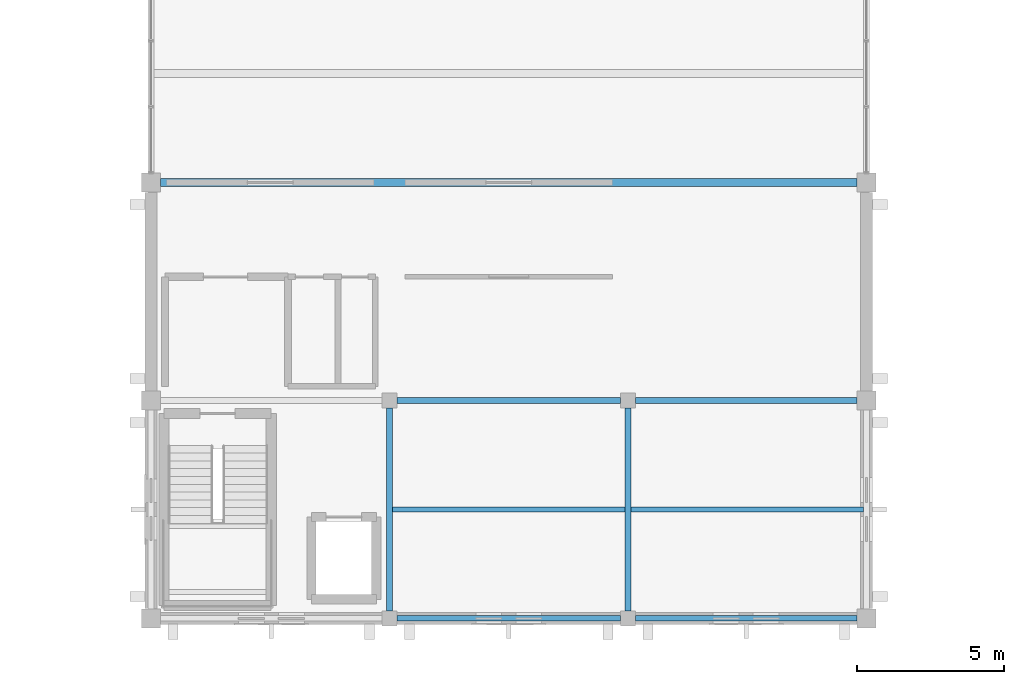
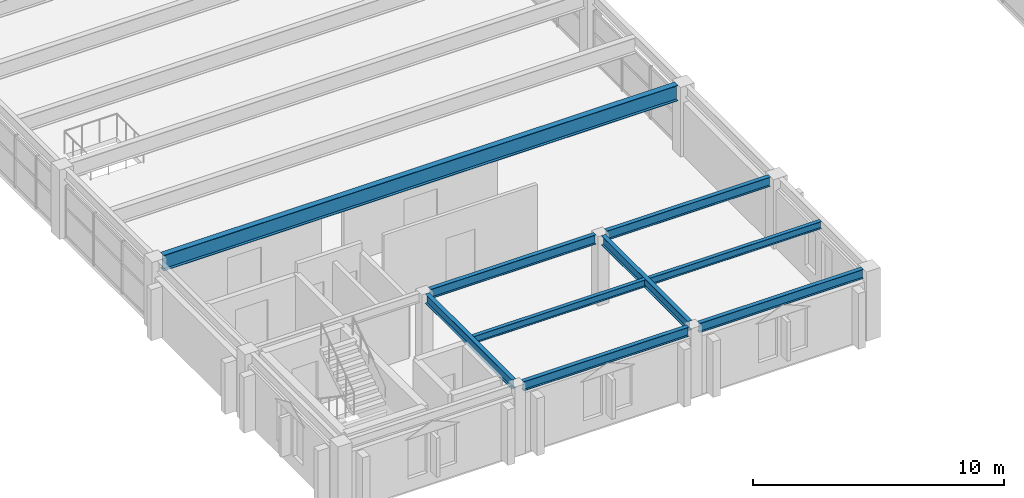
# One storey, part 30 of 93: 9 beams.
"""IFC4 building model written with IfcOpenShell, lengths in metres."""

from ifc_helpers import new_model, si_unit, direction, frame, origin, origin_2d, place, context, subcontext, project, spatial, i_section, extrude, material, material_profile, profile_set, type_object, element, save


model = new_model("IFC4")

# Units and contexts
model_context = context("Model", 3, precision=1e-05, world=origin(), true_north=direction((0.0, 1.0)))
body_context = subcontext(model_context, "Body", "Model", "MODEL_VIEW")
ifc_project = project(units=[si_unit("LENGTHUNIT", "METRE"), si_unit("AREAUNIT", "SQUARE_METRE"), si_unit("VOLUMEUNIT", "CUBIC_METRE"), si_unit("PLANEANGLEUNIT", "RADIAN"), si_unit("MASSUNIT", "GRAM", prefix="KILO")], contexts=[model_context])

# Site, building, storey
site_placement = place(None, origin())
site = spatial("IfcSite", under=ifc_project, at=site_placement, CompositionType="ELEMENT")
building_placement = place(site_placement, origin())
building = spatial("IfcBuilding", under=site, at=building_placement, Name="Cimatlan Art Gallery", CompositionType="ELEMENT")
storey_placement = place(building_placement, frame((0.0, 0.0, 13.800048828125)))
storey = spatial("IfcBuildingStorey", under=building, at=storey_placement, Name="L03", CompositionType="ELEMENT", Elevation=13.800048828125)

# Beams
ifc_material = material(Name="Steel ASTM A992 Grade 50", Category="steel")
ifc_material_profile_1 = material_profile(ifc_material, i_section(OverallWidth=0.26708984375, OverallDepth=0.761962890625, WebThickness=0.014404296875, FlangeThickness=0.021484375, at=origin_2d()), Name="W30X116")
ifc_profile_set_1 = profile_set([ifc_material_profile_1], Name="Steel ASTM A992 Grade 50")
beam_type_1 = type_object("IfcBeamType", Name="BM-SPAN24-L04", PredefinedType="BEAM", material=ifc_profile_set_1)
beam_1_placement = place(storey_placement, frame((75.22509765625, 38.699951171875, 2.9990234375), z_axis=(1.0, 0.0, 0.0), x_axis=(0.0, 1.0, 0.0)))
element("IfcBeam", 1, at=beam_1_placement, inside=storey, type_object=beam_type_1, Name="BM-SP24-L03-05", PredefinedType="BEAM", context=body_context, shape_type="SweptSolid", body=[
    extrude(i_section(OverallWidth=0.26708984375, OverallDepth=0.761962890625, WebThickness=0.014404296875, FlangeThickness=0.021484375, at=origin_2d()), origin(), (0.0, 0.0, 1.0), 23.64990234375),
])
ifc_material_profile_2 = material_profile(ifc_material, i_section(OverallWidth=0.1708984375, OverallDepth=0.35107421875, WebThickness=0.0068359375, FlangeThickness=0.009765625, at=origin_2d()), Name="W14X30")
ifc_profile_set_2 = profile_set([ifc_material_profile_2], Name="Steel ASTM A992 Grade 50")
beam_type_2 = type_object("IfcBeamType", Name="BM-STL-W14X30", PredefinedType="JOIST", material=ifc_profile_set_2)
beam_2_placement = place(storey_placement, frame((83.095458984375, 27.60009765625, 3.204345703125), z_axis=(1.0, 0.0, 0.0), x_axis=(0.0, 1.0, 0.0)))
element("IfcBeam", 2, at=beam_2_placement, inside=storey, type_object=beam_type_2, Name="JST-L03-10-03", PredefinedType="JOIST", context=body_context, shape_type="SweptSolid", body=[
    extrude(i_section(OverallWidth=0.1708984375, OverallDepth=0.35107421875, WebThickness=0.0068359375, FlangeThickness=0.009765625, at=origin_2d()), origin(), (0.0, 0.0, 1.0), 7.908935546875),
])
beam_3_placement = place(storey_placement, frame((91.195556640625, 27.60009765625, 3.204345703125), z_axis=(1.0, 0.0, 0.0), x_axis=(0.0, 1.0, 0.0)))
element("IfcBeam", 3, at=beam_3_placement, inside=storey, type_object=beam_type_2, Name="JST-L03-11-03", PredefinedType="JOIST", context=body_context, shape_type="SweptSolid", body=[
    extrude(i_section(OverallWidth=0.1708984375, OverallDepth=0.35107421875, WebThickness=0.0068359375, FlangeThickness=0.009765625, at=origin_2d()), origin(), (0.0, 0.0, 1.0), 7.8994140625),
])
ifc_material_profile_3 = material_profile(ifc_material, i_section(OverallWidth=0.19091796875, OverallDepth=0.45703125, WebThickness=0.009033203125, FlangeThickness=0.014404296875, at=origin_2d()), Name="W18X50")
ifc_profile_set_3 = profile_set([ifc_material_profile_3], Name="Steel ASTM A992 Grade 50")
beam_type_3 = type_object("IfcBeamType", Name="BM-STL-W18X50", PredefinedType="BEAM", material=ifc_profile_set_3)
for number, where, z_axis, x_axis, name in (
    (4, (83.0, 24.14990234375, 3.1513671875), (0.0, 1.0, 0.0), (-1.0, 0.0, 0.0), "BM-Y-L03-10-03"),
    (5, (91.10009765625, 24.14990234375, 3.1513671875), (0.0, 1.0, 0.0), (-1.0, 0.0, 0.0), "BM-Y-L03-11-03"),
):
    element("IfcBeam", number, at=place(storey_placement, frame(where, z_axis=z_axis, x_axis=x_axis)), inside=storey, type_object=beam_type_3, Name=name, PredefinedType="BEAM", context=body_context, shape_type="SweptSolid", body=[
        extrude(i_section(OverallWidth=0.19091796875, OverallDepth=0.45703125, WebThickness=0.009033203125, FlangeThickness=0.014404296875, at=origin_2d()), origin(), (0.0, 0.0, 1.0), 6.900146484375),
    ])
for number, where, z_axis, x_axis, name in (
    (6, (83.25, 23.89990234375, 3.1513671875), (1.0, 0.0, 0.0), (0.0, 1.0, 0.0), "BM-X-L03-10-03"),
    (7, (83.25, 31.300048828125, 3.1513671875), (1.0, 0.0, 0.0), (0.0, 1.0, 0.0), "BM-X-L03-10-04"),
):
    element("IfcBeam", number, at=place(storey_placement, frame(where, z_axis=z_axis, x_axis=x_axis)), inside=storey, type_object=beam_type_3, Name=name, PredefinedType="BEAM", context=body_context, shape_type="SweptSolid", body=[
        extrude(i_section(OverallWidth=0.19091796875, OverallDepth=0.45703125, WebThickness=0.009033203125, FlangeThickness=0.014404296875, at=origin_2d()), origin(), (0.0, 0.0, 1.0), 7.60009765625),
    ])
for number, where, z_axis, x_axis, name in (
    (8, (91.35009765625, 23.89990234375, 3.1513671875), (1.0, 0.0, 0.0), (0.0, 1.0, 0.0), "BM-X-L03-11-03"),
    (9, (91.35009765625, 31.300048828125, 3.1513671875), (1.0, 0.0, 0.0), (0.0, 1.0, 0.0), "BM-X-L03-11-04"),
):
    element("IfcBeam", number, at=place(storey_placement, frame(where, z_axis=z_axis, x_axis=x_axis)), inside=storey, type_object=beam_type_3, Name=name, PredefinedType="BEAM", context=body_context, shape_type="SweptSolid", body=[
        extrude(i_section(OverallWidth=0.19091796875, OverallDepth=0.45703125, WebThickness=0.009033203125, FlangeThickness=0.014404296875, at=origin_2d()), origin(), (0.0, 0.0, 1.0), 7.52490234375),
    ])

save(model, "model.ifc")
